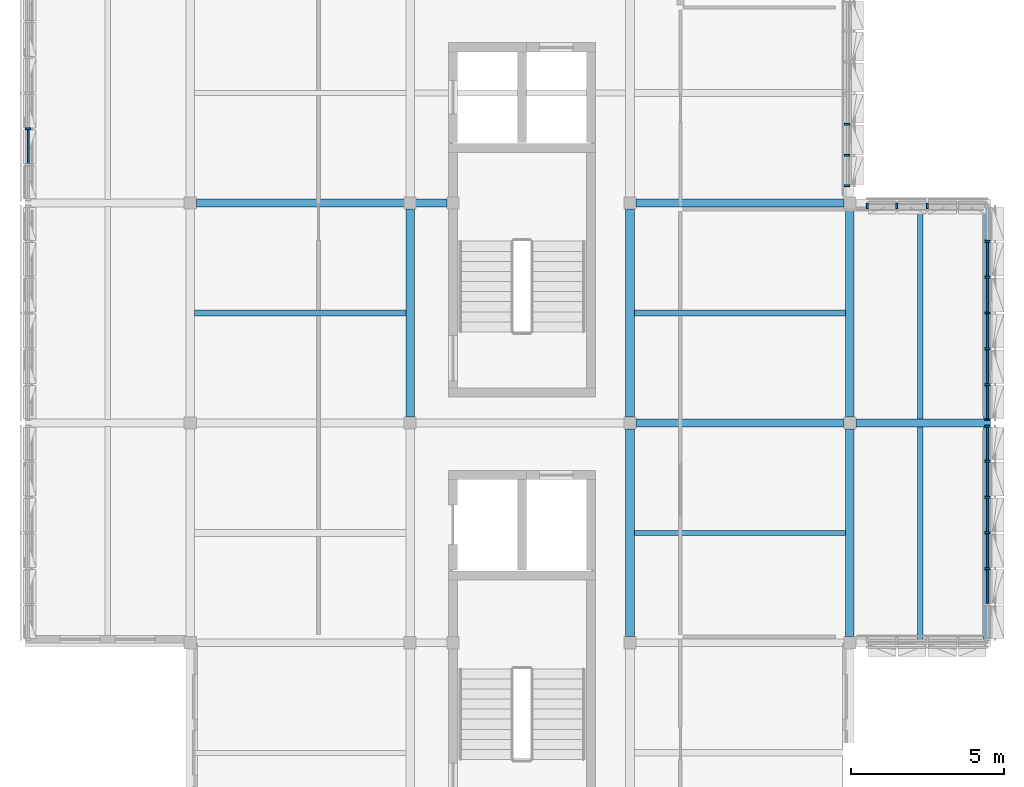
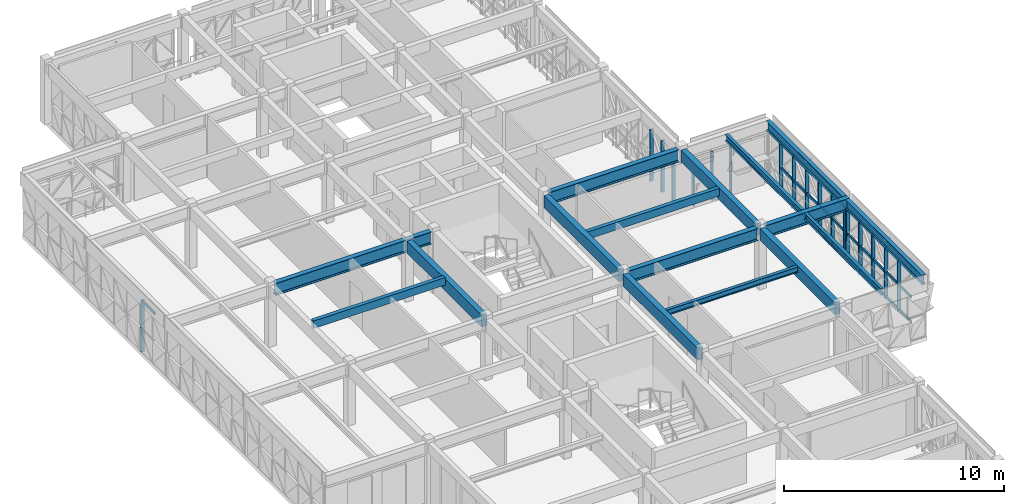
# One storey, part 4 of 25: 49 members, 16 beams, 5 elements without a shape of their own.
"""IFC4 building model written with IfcOpenShell, lengths in metres."""

import ifcopenshell
import ifcopenshell.guid

model = None  # the IFC model being written
_history = None  # IfcOwnerHistory: only IFC2X3 demands one
_inside = {}  # id of a spatial element -> (the spatial element, [elements in it])
_under = {}  # id of a project, library or spatial element -> (it, [spatial elements below it])
_declared = {}  # id of a project -> (the project, [libraries it declares])
_typed = {}  # id of a type object -> (the type object, [elements of that type])
_made_of = {}  # id of a material, layer set ... -> (it, [elements and type objects made of it])


def new_model(schema):
    """Start an empty IFC model of exactly this schema.

    Asked for "IFC4X3", IfcOpenShell would pick the latest addendum, in which some entities
    have other attributes; the version numbers below select the first issue.
    IFC2X3 requires an IfcOwnerHistory on every rooted entity: one is made here for all.
    """
    global model, _history
    if schema == "IFC4X3":
        model = ifcopenshell.file(schema_version=(4, 3, 0, 0))
    else:
        model = ifcopenshell.file(schema=schema)
    _inside.clear()
    _under.clear()
    _declared.clear()
    _typed.clear()
    _made_of.clear()
    _history = None
    if model.schema == "IFC2X3":
        org = make("IfcOrganization", Name="unknown")
        user = make(
            "IfcPersonAndOrganization",
            ThePerson=make("IfcPerson", FamilyName="unknown"),
            TheOrganization=org,
        )
        app = make(
            "IfcApplication",
            ApplicationDeveloper=org,
            Version="unknown",
            ApplicationFullName="unknown",
            ApplicationIdentifier="unknown",
        )
        _history = make(
            "IfcOwnerHistory",
            OwningUser=user,
            OwningApplication=app,
            ChangeAction="ADDED",
            CreationDate=0,
        )
    return model


def make(cls, **values):
    """One entity of the class cls with the attributes given. An attribute that is None is left unset."""
    return model.create_entity(
        cls, **{name: value for name, value in values.items() if value is not None}
    )


def rooted(cls, **values):
    """An entity with a GlobalId (a new one), such as an element, a storey or a relation."""
    return make(cls, GlobalId=ifcopenshell.guid.new(), OwnerHistory=_history, **values)


def si_unit(unit_type, name, prefix=None):
    """IfcSIUnit, for example si_unit("LENGTHUNIT", "METRE", prefix="MILLI")."""
    return make("IfcSIUnit", UnitType=unit_type, Prefix=prefix, Name=name)


def assignment(units):
    """IfcUnitAssignment: the units of a project."""
    return None if units is None else make("IfcUnitAssignment", Units=units)


def point(xyz):
    """IfcCartesianPoint."""
    return None if xyz is None else make("IfcCartesianPoint", Coordinates=xyz)


def direction(xyz):
    """IfcDirection."""
    return None if xyz is None else make("IfcDirection", DirectionRatios=xyz)


def frame(location, z_axis=None, x_axis=None):
    """IfcAxis2Placement3D, a coordinate frame: its origin and axes. An axis left out is left unset."""
    return make(
        "IfcAxis2Placement3D",
        Location=point(location),
        Axis=direction(z_axis),
        RefDirection=direction(x_axis),
    )


def frame_2d(location, x_axis=None):
    """IfcAxis2Placement2D, a coordinate frame in the plane: its origin and x axis."""
    return make(
        "IfcAxis2Placement2D", Location=point(location), RefDirection=direction(x_axis)
    )


def origin():
    """The frame at (0, 0, 0) with its axes left unset."""
    return frame((0.0, 0.0, 0.0))


def origin_2d():
    """The frame at (0, 0) in the plane with its x axis left unset."""
    return frame_2d((0.0, 0.0))


def place(relative_to, where):
    """IfcLocalPlacement: puts the frame where relative to a parent placement (None: the world)."""
    return make(
        "IfcLocalPlacement", PlacementRelTo=relative_to, RelativePlacement=where
    )


def context(
    kind, dimensions, precision=None, world=None, true_north=None, identifier=None
):
    """IfcGeometricRepresentationContext, for example the 3D "Model" context."""
    return make(
        "IfcGeometricRepresentationContext",
        ContextIdentifier=identifier,
        ContextType=kind,
        CoordinateSpaceDimension=dimensions,
        Precision=precision,
        WorldCoordinateSystem=world,
        TrueNorth=true_north,
    )


def subcontext(parent, identifier, kind, view, scale=None):
    """IfcGeometricRepresentationSubContext, for example "Body" below "Model"."""
    return make(
        "IfcGeometricRepresentationSubContext",
        ContextIdentifier=identifier,
        ContextType=kind,
        ParentContext=parent,
        TargetScale=scale,
        TargetView=view,
    )


def project(units=None, contexts=None):
    """IfcProject with its units and contexts."""
    return rooted(
        "IfcProject",
        Name="project",
        RepresentationContexts=contexts,
        UnitsInContext=assignment(units),
    )


def spatial(cls, under=None, at=None, **own):
    """A site, building, storey or space (cls), placed at a placement, below another one or the project."""
    s = rooted(cls, ObjectPlacement=at, **own)
    if under is not None:
        _under.setdefault(under.id(), (under, []))[1].append(s)
    return s


def profile(cls, at=None, kind="AREA", **sizes):
    """A parametric profile (cls). Its sizes go by their IFC names, for example OverallWidth=200.0."""
    return make(cls, ProfileType=kind, Position=at, **sizes)


def rectangle(**sizes):
    """IfcRectangleProfileDef."""
    return profile("IfcRectangleProfileDef", **sizes)


def i_section(**sizes):
    """IfcIShapeProfileDef."""
    return profile("IfcIShapeProfileDef", **sizes)


def extrude(swept, where, along, depth):
    """IfcExtrudedAreaSolid: the profile swept, set in the frame where, extruded along a direction by depth."""
    return make(
        "IfcExtrudedAreaSolid",
        SweptArea=swept,
        Position=where,
        ExtrudedDirection=direction(along),
        Depth=depth,
    )


def shape(context_of_items, identifier, shape_type, items):
    """IfcShapeRepresentation: the items that make up one representation, for example the "Body"."""
    return make(
        "IfcShapeRepresentation",
        ContextOfItems=context_of_items,
        RepresentationIdentifier=identifier,
        RepresentationType=shape_type,
        Items=items,
    )


def material(Name=None, Category=None):
    """IfcMaterial."""
    return make("IfcMaterial", Name=Name, Category=Category)


def material_profile(
    of_material, cross_section, Name=None, Category=None, Priority=None
):
    """IfcMaterialProfile: a cross section and its material."""
    return make(
        "IfcMaterialProfile",
        Name=Name,
        Material=of_material,
        Profile=cross_section,
        Priority=Priority,
        Category=Category,
    )


def profile_set(profiles, Name=None, composite=None):
    """IfcMaterialProfileSet."""
    return make(
        "IfcMaterialProfileSet",
        Name=Name,
        MaterialProfiles=profiles,
        CompositeProfile=composite,
    )


def made_of(thing, what):
    """Note that an element or type object is made of a material, layer set ...; save() writes the relation."""
    if what is not None:
        _made_of.setdefault(what.id(), (what, []))[1].append(thing)
    return thing


def type_object(cls, material=None, **own):
    """A type object (cls), such as IfcWallType, which elements share."""
    return made_of(rooted(cls, **own), material)


def element(
    cls,
    number,
    at=None,
    inside=None,
    cuts=None,
    type_object=None,
    material=None,
    context=None,
    identifier="Body",
    shape_type=None,
    held_by="IfcProductDefinitionShape",
    body=None,
    shapes=None,
    **own,
):
    """One element of the class cls, such as IfcWall. Its Tag is "e" and its number.

    at: its placement. inside: the storey or other place that contains it. cuts: it is an
    opening in that element (IfcRelVoidsElement). A single representation is given by context,
    identifier, shape_type and body (its items); several are given by shapes. held_by: the class
    of the entity that holds the representations. save() writes the other relations.
    """
    e = rooted(cls, Tag="e%d" % number, ObjectPlacement=at, **own)
    if body is not None:
        shapes = [shape(context, identifier, shape_type, body)]
    if shapes is not None:
        e.Representation = make(held_by, Representations=shapes)
    if inside is not None:
        _inside.setdefault(inside.id(), (inside, []))[1].append(e)
    if cuts is not None:
        rooted(
            "IfcRelVoidsElement", RelatingBuildingElement=cuts, RelatedOpeningElement=e
        )
    if type_object is not None:
        _typed.setdefault(type_object.id(), (type_object, []))[1].append(e)
    return made_of(e, material)


def aggregate(whole, parts):
    """IfcRelAggregates: a whole, such as a stair, and the parts it consists of."""
    return rooted("IfcRelAggregates", RelatingObject=whole, RelatedObjects=parts)


def save(model, path):
    """Write the relations noted so far, then the file.

    IfcRelAggregates (storeys below a building ...), IfcRelContainedInSpatialStructure (elements
    in a storey), IfcRelDefinesByType, IfcRelAssociatesMaterial and IfcRelDeclares: one each for
    every whole, place, type object, material and project.
    """
    for whole, parts in _under.values():
        aggregate(whole, parts)
    for where, things in _inside.values():
        rooted(
            "IfcRelContainedInSpatialStructure",
            RelatedElements=things,
            RelatingStructure=where,
        )
    for kind, things in _typed.values():
        rooted("IfcRelDefinesByType", RelatedObjects=things, RelatingType=kind)
    for what, things in _made_of.values():
        rooted("IfcRelAssociatesMaterial", RelatedObjects=things, RelatingMaterial=what)
    for by, libraries in _declared.values():
        rooted("IfcRelDeclares", RelatingContext=by, RelatedDefinitions=libraries)
    model.write(path)


model = new_model("IFC4")

# Units and contexts
model_context = context("Model", 3, precision=1e-05, world=origin(), true_north=direction((0.0, 1.0)))
body_context = subcontext(model_context, "Body", "Model", "MODEL_VIEW")
ifc_project = project(units=[si_unit("LENGTHUNIT", "METRE"), si_unit("AREAUNIT", "SQUARE_METRE"), si_unit("VOLUMEUNIT", "CUBIC_METRE"), si_unit("PLANEANGLEUNIT", "RADIAN"), si_unit("MASSUNIT", "GRAM", prefix="KILO")], contexts=[model_context])

# Site, building, storey
site_placement = place(None, origin())
site = spatial("IfcSite", under=ifc_project, at=site_placement, CompositionType="ELEMENT")
building_placement = place(site_placement, origin())
building = spatial("IfcBuilding", under=site, at=building_placement, Name="Alvorim Cloister Faculty of Sciences", CompositionType="ELEMENT")
storey_placement = place(building_placement, frame((0.0, 0.0, 29.699951171875)))
storey = spatial("IfcBuildingStorey", under=building, at=storey_placement, Name="L08", CompositionType="ELEMENT", Elevation=29.699951171875)

# Beams
ifc_material_1 = material(Name="Glulam GL28h", Category="wood")
ifc_material_profile_1 = material_profile(ifc_material_1, rectangle(XDim=0.280029296875, YDim=0.659912109375, at=origin_2d()), Name="GL28-BM-280x660")
ifc_profile_set_1 = profile_set([ifc_material_profile_1], Name="Glulam GL28h")
beam_type_1 = type_object("IfcBeamType", Name="BM-GL-280x660", PredefinedType="BEAM", material=ifc_profile_set_1)
for number, where, z_axis, x_axis, name in (
    (1, (14.39990234375, 29.0, 3.06005859375), (0.0, 1.0, 0.0), (-1.0, 0.0, 0.0), "L08 Primary Girder BM-2190"),
    (2, (21.60009765625, 21.800048828125, 3.06005859375), (0.0, 1.0, 0.0), (-1.0, 0.0, 0.0), "L08 Primary Girder BM-2196"),
    (3, (21.60009765625, 29.0, 3.06005859375), (0.0, 1.0, 0.0), (-1.0, 0.0, 0.0), "L08 Primary Girder BM-2197"),
    (4, (28.800048828125, 21.800048828125, 3.070068359375), (0.0, 1.0, 0.0), (-1.0, 0.0, 0.0), "L08 Primary Girder BM-2203"),
    (5, (28.800048828125, 29.0, 3.070068359375), (0.0, 1.0, 0.0), (-1.0, 0.0, 0.0), "L08 Primary Girder BM-2204"),
):
    element("IfcBeam", number, at=place(storey_placement, frame(where, z_axis=z_axis, x_axis=x_axis)), inside=storey, type_object=beam_type_1, Name=name, PredefinedType="BEAM", context=body_context, shape_type="SweptSolid", body=[
        extrude(rectangle(XDim=0.280029296875, YDim=0.659912109375, at=origin_2d()), origin(), (0.0, 0.0, 1.0), 6.800048828125),
    ])
ifc_material_profile_2 = material_profile(ifc_material_1, rectangle(XDim=0.199951171875, YDim=0.419921875, at=origin_2d()), Name="GL28-JST-200x420")
ifc_profile_set_2 = profile_set([ifc_material_profile_2], Name="Glulam GL28h")
beam_type_2 = type_object("IfcBeamType", Name="BM-JST-GL-200x420", PredefinedType="JOIST", material=ifc_profile_set_2)
for number, where, z_axis, x_axis, name in (
    (6, (7.340087890625, 32.39990234375, 3.280029296875), (1.0, 0.0, 0.0), (0.0, 1.0, 0.0), "L08 Secondary Floor Joist BM-2211"),
    (7, (21.739990234375, 32.39990234375, 3.18994140625), (1.0, 0.0, 0.0), (0.0, 1.0, 0.0), "L08 Secondary Floor Joist BM-2222"),
):
    element("IfcBeam", number, at=place(storey_placement, frame(where, z_axis=z_axis, x_axis=x_axis)), inside=storey, type_object=beam_type_2, Name=name, PredefinedType="JOIST", context=body_context, shape_type="SweptSolid", body=[
        extrude(rectangle(XDim=0.199951171875, YDim=0.419921875, at=origin_2d()), origin(), (0.0, 0.0, 1.0), 6.919921875),
    ])
ifc_material_2 = material(Name="Steel ASTM A572 Grade 50", Category="steel")
ifc_material_profile_3 = material_profile(ifc_material_2, i_section(OverallWidth=0.1650390625, OverallDepth=0.31005859375, WebThickness=0.005859375, FlangeThickness=0.009765625, FilletRadius=0.010986328125, at=origin_2d()), Name="W310x38.7")
ifc_profile_set_3 = profile_set([ifc_material_profile_3], Name="Steel ASTM A572 Grade 50")
beam_type_3 = type_object("IfcBeamType", Name="BM-STL-W310", PredefinedType="JOIST", material=ifc_profile_set_3)
beam_1_placement = place(storey_placement, frame((21.739990234375, 25.199951171875, 3.2451171875), z_axis=(1.0, 0.0, 0.0), x_axis=(0.0, 1.0, 0.0)))
element("IfcBeam", 8, at=beam_1_placement, inside=storey, type_object=beam_type_3, Name="L08 Secondary Floor Joist BM-2221", PredefinedType="JOIST", context=body_context, shape_type="SweptSolid", body=[
    extrude(i_section(OverallWidth=0.1650390625, OverallDepth=0.31005859375, WebThickness=0.005859375, FlangeThickness=0.009765625, FilletRadius=0.010986328125, at=origin_2d()), origin(), (0.0, 0.0, 1.0), 6.919921875),
])
ifc_material_profile_4 = material_profile(ifc_material_2, i_section(OverallWidth=0.1708984375, OverallDepth=0.35498046875, WebThickness=0.007080078125, FlangeThickness=0.01171875, FilletRadius=0.012939453125, at=origin_2d()), Name="W360x51.0")
ifc_profile_set_4 = profile_set([ifc_material_profile_4], Name="Steel ASTM A572 Grade 50")
beam_type_4 = type_object("IfcBeamType", Name="BM-STL-W360", PredefinedType="JOIST", material=ifc_profile_set_4)
for number, where, z_axis, x_axis, name in (
    (9, (31.10009765625, 21.7099609375, 3.22265625), (0.0, 1.0, 0.0), (-1.0, 0.0, 0.0), "L08 Cantilever Deck Joist BM-0222"),
    (10, (31.10009765625, 28.909912109375, 3.22265625), (0.0, 1.0, 0.0), (-1.0, 0.0, 0.0), "L08 Cantilever Deck Joist BM-0224"),
):
    element("IfcBeam", number, at=place(storey_placement, frame(where, z_axis=z_axis, x_axis=x_axis)), inside=storey, type_object=beam_type_4, Name=name, PredefinedType="JOIST", context=body_context, shape_type="SweptSolid", body=[
        extrude(i_section(OverallWidth=0.1708984375, OverallDepth=0.35498046875, WebThickness=0.007080078125, FlangeThickness=0.01171875, FilletRadius=0.012939453125, at=origin_2d()), origin(), (0.0, 0.0, 1.0), 6.97998046875),
    ])
ifc_material_profile_5 = material_profile(ifc_material_2, i_section(OverallWidth=0.208984375, OverallDepth=0.532958984375, WebThickness=0.01025390625, FlangeThickness=0.015625, FilletRadius=0.01611328125, at=origin_2d()), Name="W530x92.0")
ifc_profile_set_5 = profile_set([ifc_material_profile_5], Name="Steel ASTM A572 Grade 50")
beam_type_5 = type_object("IfcBeamType", Name="BM-STL-W530", PredefinedType="BEAM", material=ifc_profile_set_5)
for number, where, z_axis, x_axis, name in (
    (11, (33.280029296875, 21.7099609375, 3.133544921875), (0.0, 1.0, 0.0), (-1.0, 0.0, 0.0), "L08 Cantilever Tip Header Girder BM-0221"),
    (12, (33.280029296875, 28.909912109375, 3.133544921875), (0.0, 1.0, 0.0), (-1.0, 0.0, 0.0), "L08 Cantilever Tip Header Girder BM-0223"),
):
    element("IfcBeam", number, at=place(storey_placement, frame(where, z_axis=z_axis, x_axis=x_axis)), inside=storey, type_object=beam_type_5, Name=name, PredefinedType="BEAM", context=body_context, shape_type="SweptSolid", body=[
        extrude(i_section(OverallWidth=0.208984375, OverallDepth=0.532958984375, WebThickness=0.01025390625, FlangeThickness=0.015625, FilletRadius=0.01611328125, at=origin_2d()), origin(), (0.0, 0.0, 1.0), 6.97998046875),
    ])
ifc_material_profile_6 = material_profile(ifc_material_2, i_section(OverallWidth=0.25390625, OverallDepth=0.68408203125, WebThickness=0.012451171875, FlangeThickness=0.01904296875, FilletRadius=0.01904296875, at=origin_2d()), Name="W690x140.0")
ifc_profile_set_6 = profile_set([ifc_material_profile_6], Name="Steel ASTM A572 Grade 50")
beam_type_6 = type_object("IfcBeamType", Name="BM-STL-W690", PredefinedType="BEAM", material=ifc_profile_set_6)
beam_2_placement = place(storey_placement, frame((7.39990234375, 36.0, 3.048095703125), z_axis=(1.0, 0.0, 0.0), x_axis=(0.0, 1.0, 0.0)))
element("IfcBeam", 13, at=beam_2_placement, inside=storey, type_object=beam_type_6, Name="L08 Cantilever Backspan Girder BM-0191", PredefinedType="BEAM", context=body_context, shape_type="SweptSolid", body=[
    extrude(i_section(OverallWidth=0.25390625, OverallDepth=0.68408203125, WebThickness=0.012451171875, FlangeThickness=0.01904296875, FilletRadius=0.01904296875, at=origin_2d()), origin(), (0.0, 0.0, 1.0), 8.2001953125),
])
beam_3_placement = place(storey_placement, frame((21.800048828125, 28.800048828125, 3.05810546875), z_axis=(1.0, 0.0, 0.0), x_axis=(0.0, 1.0, 0.0)))
element("IfcBeam", 14, at=beam_3_placement, inside=storey, type_object=beam_type_6, Name="L08 Cantilever Backspan Girder BM-0217", PredefinedType="BEAM", context=body_context, shape_type="SweptSolid", body=[
    extrude(i_section(OverallWidth=0.25390625, OverallDepth=0.68408203125, WebThickness=0.012451171875, FlangeThickness=0.01904296875, FilletRadius=0.01904296875, at=origin_2d()), origin(), (0.0, 0.0, 1.0), 6.800048828125),
])
beam_4_placement = place(storey_placement, frame((29.0, 28.800048828125, 3.05810546875), z_axis=(1.0, 0.0, 0.0), x_axis=(0.0, 1.0, 0.0)))
element("IfcBeam", 15, at=beam_4_placement, inside=storey, type_object=beam_type_6, Name="L08 Cantilever Overhang Girder BM-0218", PredefinedType="BEAM", context=body_context, shape_type="SweptSolid", body=[
    extrude(i_section(OverallWidth=0.25390625, OverallDepth=0.68408203125, WebThickness=0.012451171875, FlangeThickness=0.01904296875, FilletRadius=0.01904296875, at=origin_2d()), origin(), (0.0, 0.0, 1.0), 4.39990234375),
])
beam_5_placement = place(storey_placement, frame((21.800048828125, 36.0, 3.05810546875), z_axis=(1.0, 0.0, 0.0), x_axis=(0.0, 1.0, 0.0)))
element("IfcBeam", 16, at=beam_5_placement, inside=storey, type_object=beam_type_6, Name="L08 Cantilever Backspan Girder BM-0219", PredefinedType="BEAM", context=body_context, shape_type="SweptSolid", body=[
    extrude(i_section(OverallWidth=0.25390625, OverallDepth=0.68408203125, WebThickness=0.012451171875, FlangeThickness=0.01904296875, FilletRadius=0.01904296875, at=origin_2d()), origin(), (0.0, 0.0, 1.0), 6.800048828125),
])

# Curtain wall, member
ifc_material_3 = material(Name="Aluminium and Low-E Glass Curtain Wall", Category="aluminium")
curtain_wall_type_1 = type_object("IfcCurtainWallType", Name="CW-TRI-7040x2867", PredefinedType="USERDEFINED", material=ifc_material_3)
curtain_wall_1_placement = place(storey_placement, origin())
curtain_wall_1 = element("IfcCurtainWall", 17, at=curtain_wall_1_placement, inside=storey, type_object=curtain_wall_type_1, Name="L08 Diagonal Cassette Curtain Wall CW-0283", ObjectType="UNITISED CURTAIN WALL", PredefinedType="USERDEFINED")
ifc_material_4 = material(Name="Aluminium Alloy 6063-T6", Category="aluminium")
ifc_material_profile_7 = material_profile(ifc_material_4, rectangle(XDim=0.06494140625, YDim=0.179931640625, at=origin_2d()), Name="ALU-MUL-65x180")
ifc_profile_set_7 = profile_set([ifc_material_profile_7], Name="Aluminium Alloy 6063-T6")
member_type_1 = type_object("IfcMemberType", Name="CW-MUL-65x180", PredefinedType="MULLION", material=ifc_profile_set_7)
member_1_placement = place(storey_placement, frame((1.889892578125, 38.4267578125, 0.0), z_axis=(0.0, 0.0, 1.0), x_axis=(0.0, 1.0, 0.0)))
member_1 = element("IfcMember", 18, at=member_1_placement, type_object=member_type_1, Name="CW-0283 Mullion 3", PredefinedType="MULLION", context=body_context, shape_type="SweptSolid", body=[
    extrude(rectangle(XDim=0.06494140625, YDim=0.179931640625, at=origin_2d()), origin(), (0.0, 0.0, 1.0), 2.866943359375),
])

# Curtain wall, members
curtain_wall_type_2 = type_object("IfcCurtainWallType", Name="CW-TRI-6120x2860", PredefinedType="USERDEFINED", material=ifc_material_3)
curtain_wall_2_placement = place(storey_placement, origin())
curtain_wall_2 = element("IfcCurtainWall", 19, at=curtain_wall_2_placement, inside=storey, type_object=curtain_wall_type_2, Name="L08 Diagonal Cassette Curtain Wall CW-0292", ObjectType="UNITISED CURTAIN WALL", PredefinedType="USERDEFINED")
member_2_placement = place(storey_placement, frame((28.7099609375, 36.572509765625, 0.0), z_axis=(0.0, 0.0, 1.0), x_axis=(0.0, 1.0, 0.0)))
member_2 = element("IfcMember", 20, at=member_2_placement, type_object=member_type_1, Name="CW-0292 Mullion 1", PredefinedType="MULLION", context=body_context, shape_type="SweptSolid", body=[
    extrude(rectangle(XDim=0.06494140625, YDim=0.179931640625, at=origin_2d()), origin(), (0.0, 0.0, 1.0), 2.860107421875),
])
member_3_placement = place(storey_placement, frame((28.7099609375, 37.56005859375, 0.0), z_axis=(0.0, 0.0, 1.0), x_axis=(0.0, 1.0, 0.0)))
member_3 = element("IfcMember", 21, at=member_3_placement, type_object=member_type_1, Name="CW-0292 Mullion 2", PredefinedType="MULLION", context=body_context, shape_type="SweptSolid", body=[
    extrude(rectangle(XDim=0.06494140625, YDim=0.179931640625, at=origin_2d()), origin(), (0.0, 0.0, 1.0), 2.860107421875),
])
member_4_placement = place(storey_placement, frame((28.7099609375, 38.580078125, 0.0), z_axis=(0.0, 0.0, 1.0), x_axis=(0.0, 1.0, 0.0)))
member_4 = element("IfcMember", 22, at=member_4_placement, type_object=member_type_1, Name="CW-0292 Mullion 3", PredefinedType="MULLION", context=body_context, shape_type="SweptSolid", body=[
    extrude(rectangle(XDim=0.06494140625, YDim=0.179931640625, at=origin_2d()), origin(), (0.0, 0.0, 1.0), 2.860107421875),
])
aggregate(curtain_wall_2, [member_2, member_3, member_4])

curtain_wall_type_3 = type_object("IfcCurtainWallType", Name="CW-TRI-3980x2716", PredefinedType="USERDEFINED", material=ifc_material_3)
curtain_wall_3_placement = place(storey_placement, origin())
curtain_wall_3 = element("IfcCurtainWall", 23, at=curtain_wall_3_placement, inside=storey, type_object=curtain_wall_type_3, Name="L08 Diagonal Cassette Curtain Wall CW-0293", ObjectType="UNITISED CURTAIN WALL", PredefinedType="USERDEFINED")
member_5_placement = place(storey_placement, frame((29.37255859375, 35.909912109375, 0.0), z_axis=(0.0, 0.0, 1.0), x_axis=(1.0, 0.0, 0.0)))
member_5 = element("IfcMember", 24, at=member_5_placement, type_object=member_type_1, Name="CW-0293 Mullion 1", PredefinedType="MULLION", context=body_context, shape_type="SweptSolid", body=[
    extrude(rectangle(XDim=0.06494140625, YDim=0.179931640625, at=origin_2d()), origin(), (0.0, 0.0, 1.0), 2.716064453125),
])
member_6_placement = place(storey_placement, frame((30.3349609375, 35.909912109375, 0.0), z_axis=(0.0, 0.0, 1.0), x_axis=(1.0, 0.0, 0.0)))
member_6 = element("IfcMember", 25, at=member_6_placement, type_object=member_type_1, Name="CW-0293 Mullion 2", PredefinedType="MULLION", context=body_context, shape_type="SweptSolid", body=[
    extrude(rectangle(XDim=0.06494140625, YDim=0.179931640625, at=origin_2d()), origin(), (0.0, 0.0, 1.0), 2.716064453125),
])
member_7_placement = place(storey_placement, frame((31.330078125, 35.909912109375, 0.0), z_axis=(0.0, 0.0, 1.0), x_axis=(1.0, 0.0, 0.0)))
member_7 = element("IfcMember", 26, at=member_7_placement, type_object=member_type_1, Name="CW-0293 Mullion 3", PredefinedType="MULLION", context=body_context, shape_type="SweptSolid", body=[
    extrude(rectangle(XDim=0.06494140625, YDim=0.179931640625, at=origin_2d()), origin(), (0.0, 0.0, 1.0), 2.716064453125),
])
aggregate(curtain_wall_3, [member_5, member_6, member_7])

curtain_wall_4_placement = place(storey_placement, origin())
curtain_wall_4 = element("IfcCurtainWall", 27, at=curtain_wall_4_placement, inside=storey, type_object=curtain_wall_type_1, Name="L08 Diagonal Cassette Curtain Wall CW-0294", ObjectType="UNITISED CURTAIN WALL", PredefinedType="USERDEFINED")
member_8_placement = place(storey_placement, frame((33.31005859375, 28.91259765625, 0.0), z_axis=(0.0, 0.0, 1.0), x_axis=(0.0, 1.0, 0.0)))
member_8 = element("IfcMember", 28, at=member_8_placement, type_object=member_type_1, Name="CW-0294 Mullion 1", PredefinedType="MULLION", context=body_context, shape_type="SweptSolid", body=[
    extrude(rectangle(XDim=0.06494140625, YDim=0.179931640625, at=origin_2d()), origin(), (0.0, 0.0, 1.0), 2.866943359375),
])
member_9_placement = place(storey_placement, frame((33.31005859375, 30.05322265625, 0.0), z_axis=(0.0, 0.0, 1.0), x_axis=(0.0, 1.0, 0.0)))
member_9 = element("IfcMember", 29, at=member_9_placement, type_object=member_type_1, Name="CW-0294 Mullion 2", PredefinedType="MULLION", context=body_context, shape_type="SweptSolid", body=[
    extrude(rectangle(XDim=0.06494140625, YDim=0.179931640625, at=origin_2d()), origin(), (0.0, 0.0, 1.0), 2.866943359375),
])
member_10_placement = place(storey_placement, frame((33.31005859375, 31.226806640625, 0.0), z_axis=(0.0, 0.0, 1.0), x_axis=(0.0, 1.0, 0.0)))
member_10 = element("IfcMember", 30, at=member_10_placement, type_object=member_type_1, Name="CW-0294 Mullion 3", PredefinedType="MULLION", context=body_context, shape_type="SweptSolid", body=[
    extrude(rectangle(XDim=0.06494140625, YDim=0.179931640625, at=origin_2d()), origin(), (0.0, 0.0, 1.0), 2.866943359375),
])
member_11_placement = place(storey_placement, frame((33.31005859375, 32.39990234375, 0.0), z_axis=(0.0, 0.0, 1.0), x_axis=(0.0, 1.0, 0.0)))
member_11 = element("IfcMember", 31, at=member_11_placement, type_object=member_type_1, Name="CW-0294 Mullion 4", PredefinedType="MULLION", context=body_context, shape_type="SweptSolid", body=[
    extrude(rectangle(XDim=0.06494140625, YDim=0.179931640625, at=origin_2d()), origin(), (0.0, 0.0, 1.0), 2.866943359375),
])
member_12_placement = place(storey_placement, frame((33.31005859375, 33.5732421875, 0.0), z_axis=(0.0, 0.0, 1.0), x_axis=(0.0, 1.0, 0.0)))
member_12 = element("IfcMember", 32, at=member_12_placement, type_object=member_type_1, Name="CW-0294 Mullion 5", PredefinedType="MULLION", context=body_context, shape_type="SweptSolid", body=[
    extrude(rectangle(XDim=0.06494140625, YDim=0.179931640625, at=origin_2d()), origin(), (0.0, 0.0, 1.0), 2.866943359375),
])
member_13_placement = place(storey_placement, frame((33.31005859375, 34.74658203125, 0.0), z_axis=(0.0, 0.0, 1.0), x_axis=(0.0, 1.0, 0.0)))
member_13 = element("IfcMember", 33, at=member_13_placement, type_object=member_type_1, Name="CW-0294 Mullion 6", PredefinedType="MULLION", context=body_context, shape_type="SweptSolid", body=[
    extrude(rectangle(XDim=0.06494140625, YDim=0.179931640625, at=origin_2d()), origin(), (0.0, 0.0, 1.0), 2.866943359375),
])

curtain_wall_5_placement = place(storey_placement, origin())
curtain_wall_5 = element("IfcCurtainWall", 34, at=curtain_wall_5_placement, inside=storey, type_object=curtain_wall_type_1, Name="L08 Diagonal Cassette Curtain Wall CW-0295", ObjectType="UNITISED CURTAIN WALL", PredefinedType="USERDEFINED")
member_14_placement = place(storey_placement, frame((33.31005859375, 24.026611328125, 0.0), z_axis=(0.0, 0.0, 1.0), x_axis=(0.0, 1.0, 0.0)))
member_14 = element("IfcMember", 35, at=member_14_placement, type_object=member_type_1, Name="CW-0295 Mullion 3", PredefinedType="MULLION", context=body_context, shape_type="SweptSolid", body=[
    extrude(rectangle(XDim=0.06494140625, YDim=0.179931640625, at=origin_2d()), origin(), (0.0, 0.0, 1.0), 2.866943359375),
])
member_15_placement = place(storey_placement, frame((33.31005859375, 25.199951171875, 0.0), z_axis=(0.0, 0.0, 1.0), x_axis=(0.0, 1.0, 0.0)))
member_15 = element("IfcMember", 36, at=member_15_placement, type_object=member_type_1, Name="CW-0295 Mullion 4", PredefinedType="MULLION", context=body_context, shape_type="SweptSolid", body=[
    extrude(rectangle(XDim=0.06494140625, YDim=0.179931640625, at=origin_2d()), origin(), (0.0, 0.0, 1.0), 2.866943359375),
])
member_16_placement = place(storey_placement, frame((33.31005859375, 26.373291015625, 0.0), z_axis=(0.0, 0.0, 1.0), x_axis=(0.0, 1.0, 0.0)))
member_16 = element("IfcMember", 37, at=member_16_placement, type_object=member_type_1, Name="CW-0295 Mullion 5", PredefinedType="MULLION", context=body_context, shape_type="SweptSolid", body=[
    extrude(rectangle(XDim=0.06494140625, YDim=0.179931640625, at=origin_2d()), origin(), (0.0, 0.0, 1.0), 2.866943359375),
])
member_17_placement = place(storey_placement, frame((33.31005859375, 27.546630859375, 0.0), z_axis=(0.0, 0.0, 1.0), x_axis=(0.0, 1.0, 0.0)))
member_17 = element("IfcMember", 38, at=member_17_placement, type_object=member_type_1, Name="CW-0295 Mullion 6", PredefinedType="MULLION", context=body_context, shape_type="SweptSolid", body=[
    extrude(rectangle(XDim=0.06494140625, YDim=0.179931640625, at=origin_2d()), origin(), (0.0, 0.0, 1.0), 2.866943359375),
])
member_18_placement = place(storey_placement, frame((33.31005859375, 28.6875, 0.0), z_axis=(0.0, 0.0, 1.0), x_axis=(0.0, 1.0, 0.0)))
member_18 = element("IfcMember", 39, at=member_18_placement, type_object=member_type_1, Name="CW-0295 Mullion 7", PredefinedType="MULLION", context=body_context, shape_type="SweptSolid", body=[
    extrude(rectangle(XDim=0.06494140625, YDim=0.179931640625, at=origin_2d()), origin(), (0.0, 0.0, 1.0), 2.866943359375),
])

# Member
ifc_material_profile_8 = material_profile(ifc_material_4, rectangle(XDim=0.06494140625, YDim=0.139892578125, at=origin_2d()), Name="ALU-TRN-65x140")
ifc_profile_set_8 = profile_set([ifc_material_profile_8], Name="Aluminium Alloy 6063-T6")
member_type_2 = type_object("IfcMemberType", Name="CW-TRN-65x140", PredefinedType="USERDEFINED", material=ifc_profile_set_8)
member_19_placement = place(storey_placement, frame((1.889892578125, 37.285888671875, 2.797119140625), z_axis=(0.0, 1.0, 0.0), x_axis=(-1.0, 0.0, 0.0)))
member_19 = element("IfcMember", 40, at=member_19_placement, type_object=member_type_2, Name="CW-0283 Transom 2.3", ObjectType="TRANSOM", PredefinedType="USERDEFINED", context=body_context, shape_type="SweptSolid", body=[
    extrude(rectangle(XDim=0.06494140625, YDim=0.139892578125, at=origin_2d()), origin(), (0.0, 0.0, 1.0), 1.1083984375),
])

aggregate(curtain_wall_1, [member_1, member_19])

member_20_placement = place(storey_placement, frame((33.31005859375, 28.945068359375, 0.070068359375), z_axis=(0.0, 1.0, 0.0), x_axis=(-1.0, 0.0, 0.0)))
member_20 = element("IfcMember", 41, at=member_20_placement, type_object=member_type_2, Name="CW-0294 Transom 1.1", ObjectType="TRANSOM", PredefinedType="USERDEFINED", context=body_context, shape_type="SweptSolid", body=[
    extrude(rectangle(XDim=0.06494140625, YDim=0.139892578125, at=origin_2d()), origin(), (0.0, 0.0, 1.0), 1.07568359375),
])

member_21_placement = place(storey_placement, frame((33.31005859375, 28.945068359375, 1.43359375), z_axis=(0.0, 1.0, 0.0), x_axis=(-1.0, 0.0, 0.0)))
member_21 = element("IfcMember", 42, at=member_21_placement, type_object=member_type_2, Name="CW-0294 Transom 1.2", ObjectType="TRANSOM", PredefinedType="USERDEFINED", context=body_context, shape_type="SweptSolid", body=[
    extrude(rectangle(XDim=0.06494140625, YDim=0.139892578125, at=origin_2d()), origin(), (0.0, 0.0, 1.0), 1.07568359375),
])

member_22_placement = place(storey_placement, frame((33.31005859375, 28.945068359375, 2.797119140625), z_axis=(0.0, 1.0, 0.0), x_axis=(-1.0, 0.0, 0.0)))
member_22 = element("IfcMember", 43, at=member_22_placement, type_object=member_type_2, Name="CW-0294 Transom 1.3", ObjectType="TRANSOM", PredefinedType="USERDEFINED", context=body_context, shape_type="SweptSolid", body=[
    extrude(rectangle(XDim=0.06494140625, YDim=0.139892578125, at=origin_2d()), origin(), (0.0, 0.0, 1.0), 1.07568359375),
])

member_23_placement = place(storey_placement, frame((33.31005859375, 30.0859375, 0.070068359375), z_axis=(0.0, 1.0, 0.0), x_axis=(-1.0, 0.0, 0.0)))
member_23 = element("IfcMember", 44, at=member_23_placement, type_object=member_type_2, Name="CW-0294 Transom 2.1", ObjectType="TRANSOM", PredefinedType="USERDEFINED", context=body_context, shape_type="SweptSolid", body=[
    extrude(rectangle(XDim=0.06494140625, YDim=0.139892578125, at=origin_2d()), origin(), (0.0, 0.0, 1.0), 1.108154296875),
])

member_24_placement = place(storey_placement, frame((33.31005859375, 30.0859375, 1.43359375), z_axis=(0.0, 1.0, 0.0), x_axis=(-1.0, 0.0, 0.0)))
member_24 = element("IfcMember", 45, at=member_24_placement, type_object=member_type_2, Name="CW-0294 Transom 2.2", ObjectType="TRANSOM", PredefinedType="USERDEFINED", context=body_context, shape_type="SweptSolid", body=[
    extrude(rectangle(XDim=0.06494140625, YDim=0.139892578125, at=origin_2d()), origin(), (0.0, 0.0, 1.0), 1.108154296875),
])

member_25_placement = place(storey_placement, frame((33.31005859375, 30.0859375, 2.797119140625), z_axis=(0.0, 1.0, 0.0), x_axis=(-1.0, 0.0, 0.0)))
member_25 = element("IfcMember", 46, at=member_25_placement, type_object=member_type_2, Name="CW-0294 Transom 2.3", ObjectType="TRANSOM", PredefinedType="USERDEFINED", context=body_context, shape_type="SweptSolid", body=[
    extrude(rectangle(XDim=0.06494140625, YDim=0.139892578125, at=origin_2d()), origin(), (0.0, 0.0, 1.0), 1.108154296875),
])

member_26_placement = place(storey_placement, frame((33.31005859375, 31.25927734375, 0.070068359375), z_axis=(0.0, 1.0, 0.0), x_axis=(-1.0, 0.0, 0.0)))
member_26 = element("IfcMember", 47, at=member_26_placement, type_object=member_type_2, Name="CW-0294 Transom 3.1", ObjectType="TRANSOM", PredefinedType="USERDEFINED", context=body_context, shape_type="SweptSolid", body=[
    extrude(rectangle(XDim=0.06494140625, YDim=0.139892578125, at=origin_2d()), origin(), (0.0, 0.0, 1.0), 1.108154296875),
])

member_27_placement = place(storey_placement, frame((33.31005859375, 31.25927734375, 1.43359375), z_axis=(0.0, 1.0, 0.0), x_axis=(-1.0, 0.0, 0.0)))
member_27 = element("IfcMember", 48, at=member_27_placement, type_object=member_type_2, Name="CW-0294 Transom 3.2", ObjectType="TRANSOM", PredefinedType="USERDEFINED", context=body_context, shape_type="SweptSolid", body=[
    extrude(rectangle(XDim=0.06494140625, YDim=0.139892578125, at=origin_2d()), origin(), (0.0, 0.0, 1.0), 1.108154296875),
])

member_28_placement = place(storey_placement, frame((33.31005859375, 31.25927734375, 2.797119140625), z_axis=(0.0, 1.0, 0.0), x_axis=(-1.0, 0.0, 0.0)))
member_28 = element("IfcMember", 49, at=member_28_placement, type_object=member_type_2, Name="CW-0294 Transom 3.3", ObjectType="TRANSOM", PredefinedType="USERDEFINED", context=body_context, shape_type="SweptSolid", body=[
    extrude(rectangle(XDim=0.06494140625, YDim=0.139892578125, at=origin_2d()), origin(), (0.0, 0.0, 1.0), 1.108154296875),
])

member_29_placement = place(storey_placement, frame((33.31005859375, 32.4326171875, 0.070068359375), z_axis=(0.0, 1.0, 0.0), x_axis=(-1.0, 0.0, 0.0)))
member_29 = element("IfcMember", 50, at=member_29_placement, type_object=member_type_2, Name="CW-0294 Transom 4.1", ObjectType="TRANSOM", PredefinedType="USERDEFINED", context=body_context, shape_type="SweptSolid", body=[
    extrude(rectangle(XDim=0.06494140625, YDim=0.139892578125, at=origin_2d()), origin(), (0.0, 0.0, 1.0), 1.108154296875),
])

member_30_placement = place(storey_placement, frame((33.31005859375, 32.4326171875, 1.43359375), z_axis=(0.0, 1.0, 0.0), x_axis=(-1.0, 0.0, 0.0)))
member_30 = element("IfcMember", 51, at=member_30_placement, type_object=member_type_2, Name="CW-0294 Transom 4.2", ObjectType="TRANSOM", PredefinedType="USERDEFINED", context=body_context, shape_type="SweptSolid", body=[
    extrude(rectangle(XDim=0.06494140625, YDim=0.139892578125, at=origin_2d()), origin(), (0.0, 0.0, 1.0), 1.108154296875),
])

member_31_placement = place(storey_placement, frame((33.31005859375, 32.4326171875, 2.797119140625), z_axis=(0.0, 1.0, 0.0), x_axis=(-1.0, 0.0, 0.0)))
member_31 = element("IfcMember", 52, at=member_31_placement, type_object=member_type_2, Name="CW-0294 Transom 4.3", ObjectType="TRANSOM", PredefinedType="USERDEFINED", context=body_context, shape_type="SweptSolid", body=[
    extrude(rectangle(XDim=0.06494140625, YDim=0.139892578125, at=origin_2d()), origin(), (0.0, 0.0, 1.0), 1.108154296875),
])

member_32_placement = place(storey_placement, frame((33.31005859375, 33.605712890625, 0.070068359375), z_axis=(0.0, 1.0, 0.0), x_axis=(-1.0, 0.0, 0.0)))
member_32 = element("IfcMember", 53, at=member_32_placement, type_object=member_type_2, Name="CW-0294 Transom 5.1", ObjectType="TRANSOM", PredefinedType="USERDEFINED", context=body_context, shape_type="SweptSolid", body=[
    extrude(rectangle(XDim=0.06494140625, YDim=0.139892578125, at=origin_2d()), origin(), (0.0, 0.0, 1.0), 1.1083984375),
])

member_33_placement = place(storey_placement, frame((33.31005859375, 33.605712890625, 1.43359375), z_axis=(0.0, 1.0, 0.0), x_axis=(-1.0, 0.0, 0.0)))
member_33 = element("IfcMember", 54, at=member_33_placement, type_object=member_type_2, Name="CW-0294 Transom 5.2", ObjectType="TRANSOM", PredefinedType="USERDEFINED", context=body_context, shape_type="SweptSolid", body=[
    extrude(rectangle(XDim=0.06494140625, YDim=0.139892578125, at=origin_2d()), origin(), (0.0, 0.0, 1.0), 1.1083984375),
])

member_34_placement = place(storey_placement, frame((33.31005859375, 33.605712890625, 2.797119140625), z_axis=(0.0, 1.0, 0.0), x_axis=(-1.0, 0.0, 0.0)))
member_34 = element("IfcMember", 55, at=member_34_placement, type_object=member_type_2, Name="CW-0294 Transom 5.3", ObjectType="TRANSOM", PredefinedType="USERDEFINED", context=body_context, shape_type="SweptSolid", body=[
    extrude(rectangle(XDim=0.06494140625, YDim=0.139892578125, at=origin_2d()), origin(), (0.0, 0.0, 1.0), 1.1083984375),
])

aggregate(curtain_wall_4, [member_8, member_9, member_10, member_11, member_12, member_13, member_20, member_21, member_22, member_23, member_24, member_25, member_26, member_27, member_28, member_29, member_30, member_31, member_32, member_33, member_34])

member_35_placement = place(storey_placement, frame((33.31005859375, 22.8857421875, 0.070068359375), z_axis=(0.0, 1.0, 0.0), x_axis=(-1.0, 0.0, 0.0)))
member_35 = element("IfcMember", 56, at=member_35_placement, type_object=member_type_2, Name="CW-0295 Transom 2.1", ObjectType="TRANSOM", PredefinedType="USERDEFINED", context=body_context, shape_type="SweptSolid", body=[
    extrude(rectangle(XDim=0.06494140625, YDim=0.139892578125, at=origin_2d()), origin(), (0.0, 0.0, 1.0), 1.1083984375),
])

member_36_placement = place(storey_placement, frame((33.31005859375, 22.8857421875, 1.43359375), z_axis=(0.0, 1.0, 0.0), x_axis=(-1.0, 0.0, 0.0)))
member_36 = element("IfcMember", 57, at=member_36_placement, type_object=member_type_2, Name="CW-0295 Transom 2.2", ObjectType="TRANSOM", PredefinedType="USERDEFINED", context=body_context, shape_type="SweptSolid", body=[
    extrude(rectangle(XDim=0.06494140625, YDim=0.139892578125, at=origin_2d()), origin(), (0.0, 0.0, 1.0), 1.1083984375),
])

member_37_placement = place(storey_placement, frame((33.31005859375, 22.8857421875, 2.797119140625), z_axis=(0.0, 1.0, 0.0), x_axis=(-1.0, 0.0, 0.0)))
member_37 = element("IfcMember", 58, at=member_37_placement, type_object=member_type_2, Name="CW-0295 Transom 2.3", ObjectType="TRANSOM", PredefinedType="USERDEFINED", context=body_context, shape_type="SweptSolid", body=[
    extrude(rectangle(XDim=0.06494140625, YDim=0.139892578125, at=origin_2d()), origin(), (0.0, 0.0, 1.0), 1.1083984375),
])

member_38_placement = place(storey_placement, frame((33.31005859375, 24.05908203125, 0.070068359375), z_axis=(0.0, 1.0, 0.0), x_axis=(-1.0, 0.0, 0.0)))
member_38 = element("IfcMember", 59, at=member_38_placement, type_object=member_type_2, Name="CW-0295 Transom 3.1", ObjectType="TRANSOM", PredefinedType="USERDEFINED", context=body_context, shape_type="SweptSolid", body=[
    extrude(rectangle(XDim=0.06494140625, YDim=0.139892578125, at=origin_2d()), origin(), (0.0, 0.0, 1.0), 1.1083984375),
])

member_39_placement = place(storey_placement, frame((33.31005859375, 24.05908203125, 1.43359375), z_axis=(0.0, 1.0, 0.0), x_axis=(-1.0, 0.0, 0.0)))
member_39 = element("IfcMember", 60, at=member_39_placement, type_object=member_type_2, Name="CW-0295 Transom 3.2", ObjectType="TRANSOM", PredefinedType="USERDEFINED", context=body_context, shape_type="SweptSolid", body=[
    extrude(rectangle(XDim=0.06494140625, YDim=0.139892578125, at=origin_2d()), origin(), (0.0, 0.0, 1.0), 1.1083984375),
])

member_40_placement = place(storey_placement, frame((33.31005859375, 24.05908203125, 2.797119140625), z_axis=(0.0, 1.0, 0.0), x_axis=(-1.0, 0.0, 0.0)))
member_40 = element("IfcMember", 61, at=member_40_placement, type_object=member_type_2, Name="CW-0295 Transom 3.3", ObjectType="TRANSOM", PredefinedType="USERDEFINED", context=body_context, shape_type="SweptSolid", body=[
    extrude(rectangle(XDim=0.06494140625, YDim=0.139892578125, at=origin_2d()), origin(), (0.0, 0.0, 1.0), 1.1083984375),
])

member_41_placement = place(storey_placement, frame((33.31005859375, 25.232421875, 0.070068359375), z_axis=(0.0, 1.0, 0.0), x_axis=(-1.0, 0.0, 0.0)))
member_41 = element("IfcMember", 62, at=member_41_placement, type_object=member_type_2, Name="CW-0295 Transom 4.1", ObjectType="TRANSOM", PredefinedType="USERDEFINED", context=body_context, shape_type="SweptSolid", body=[
    extrude(rectangle(XDim=0.06494140625, YDim=0.139892578125, at=origin_2d()), origin(), (0.0, 0.0, 1.0), 1.1083984375),
])

member_42_placement = place(storey_placement, frame((33.31005859375, 25.232421875, 1.43359375), z_axis=(0.0, 1.0, 0.0), x_axis=(-1.0, 0.0, 0.0)))
member_42 = element("IfcMember", 63, at=member_42_placement, type_object=member_type_2, Name="CW-0295 Transom 4.2", ObjectType="TRANSOM", PredefinedType="USERDEFINED", context=body_context, shape_type="SweptSolid", body=[
    extrude(rectangle(XDim=0.06494140625, YDim=0.139892578125, at=origin_2d()), origin(), (0.0, 0.0, 1.0), 1.1083984375),
])

member_43_placement = place(storey_placement, frame((33.31005859375, 25.232421875, 2.797119140625), z_axis=(0.0, 1.0, 0.0), x_axis=(-1.0, 0.0, 0.0)))
member_43 = element("IfcMember", 64, at=member_43_placement, type_object=member_type_2, Name="CW-0295 Transom 4.3", ObjectType="TRANSOM", PredefinedType="USERDEFINED", context=body_context, shape_type="SweptSolid", body=[
    extrude(rectangle(XDim=0.06494140625, YDim=0.139892578125, at=origin_2d()), origin(), (0.0, 0.0, 1.0), 1.1083984375),
])

member_44_placement = place(storey_placement, frame((33.31005859375, 26.40576171875, 0.070068359375), z_axis=(0.0, 1.0, 0.0), x_axis=(-1.0, 0.0, 0.0)))
member_44 = element("IfcMember", 65, at=member_44_placement, type_object=member_type_2, Name="CW-0295 Transom 5.1", ObjectType="TRANSOM", PredefinedType="USERDEFINED", context=body_context, shape_type="SweptSolid", body=[
    extrude(rectangle(XDim=0.06494140625, YDim=0.139892578125, at=origin_2d()), origin(), (0.0, 0.0, 1.0), 1.1083984375),
])

member_45_placement = place(storey_placement, frame((33.31005859375, 26.40576171875, 1.43359375), z_axis=(0.0, 1.0, 0.0), x_axis=(-1.0, 0.0, 0.0)))
member_45 = element("IfcMember", 66, at=member_45_placement, type_object=member_type_2, Name="CW-0295 Transom 5.2", ObjectType="TRANSOM", PredefinedType="USERDEFINED", context=body_context, shape_type="SweptSolid", body=[
    extrude(rectangle(XDim=0.06494140625, YDim=0.139892578125, at=origin_2d()), origin(), (0.0, 0.0, 1.0), 1.1083984375),
])

member_46_placement = place(storey_placement, frame((33.31005859375, 26.40576171875, 2.797119140625), z_axis=(0.0, 1.0, 0.0), x_axis=(-1.0, 0.0, 0.0)))
member_46 = element("IfcMember", 67, at=member_46_placement, type_object=member_type_2, Name="CW-0295 Transom 5.3", ObjectType="TRANSOM", PredefinedType="USERDEFINED", context=body_context, shape_type="SweptSolid", body=[
    extrude(rectangle(XDim=0.06494140625, YDim=0.139892578125, at=origin_2d()), origin(), (0.0, 0.0, 1.0), 1.1083984375),
])

member_47_placement = place(storey_placement, frame((33.31005859375, 27.5791015625, 0.070068359375), z_axis=(0.0, 1.0, 0.0), x_axis=(-1.0, 0.0, 0.0)))
member_47 = element("IfcMember", 68, at=member_47_placement, type_object=member_type_2, Name="CW-0295 Transom 6.1", ObjectType="TRANSOM", PredefinedType="USERDEFINED", context=body_context, shape_type="SweptSolid", body=[
    extrude(rectangle(XDim=0.06494140625, YDim=0.139892578125, at=origin_2d()), origin(), (0.0, 0.0, 1.0), 1.075927734375),
])

member_48_placement = place(storey_placement, frame((33.31005859375, 27.5791015625, 1.43359375), z_axis=(0.0, 1.0, 0.0), x_axis=(-1.0, 0.0, 0.0)))
member_48 = element("IfcMember", 69, at=member_48_placement, type_object=member_type_2, Name="CW-0295 Transom 6.2", ObjectType="TRANSOM", PredefinedType="USERDEFINED", context=body_context, shape_type="SweptSolid", body=[
    extrude(rectangle(XDim=0.06494140625, YDim=0.139892578125, at=origin_2d()), origin(), (0.0, 0.0, 1.0), 1.075927734375),
])

member_49_placement = place(storey_placement, frame((33.31005859375, 27.5791015625, 2.797119140625), z_axis=(0.0, 1.0, 0.0), x_axis=(-1.0, 0.0, 0.0)))
member_49 = element("IfcMember", 70, at=member_49_placement, type_object=member_type_2, Name="CW-0295 Transom 6.3", ObjectType="TRANSOM", PredefinedType="USERDEFINED", context=body_context, shape_type="SweptSolid", body=[
    extrude(rectangle(XDim=0.06494140625, YDim=0.139892578125, at=origin_2d()), origin(), (0.0, 0.0, 1.0), 1.075927734375),
])

aggregate(curtain_wall_5, [member_14, member_15, member_16, member_17, member_18, member_35, member_36, member_37, member_38, member_39, member_40, member_41, member_42, member_43, member_44, member_45, member_46, member_47, member_48, member_49])

save(model, "model.ifc")
